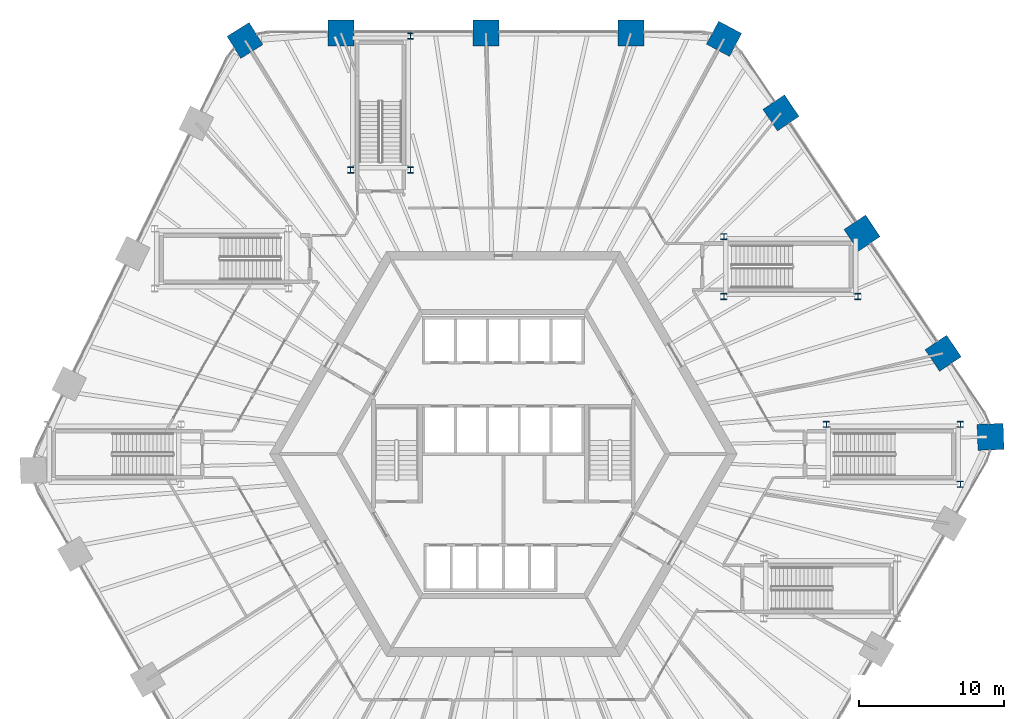
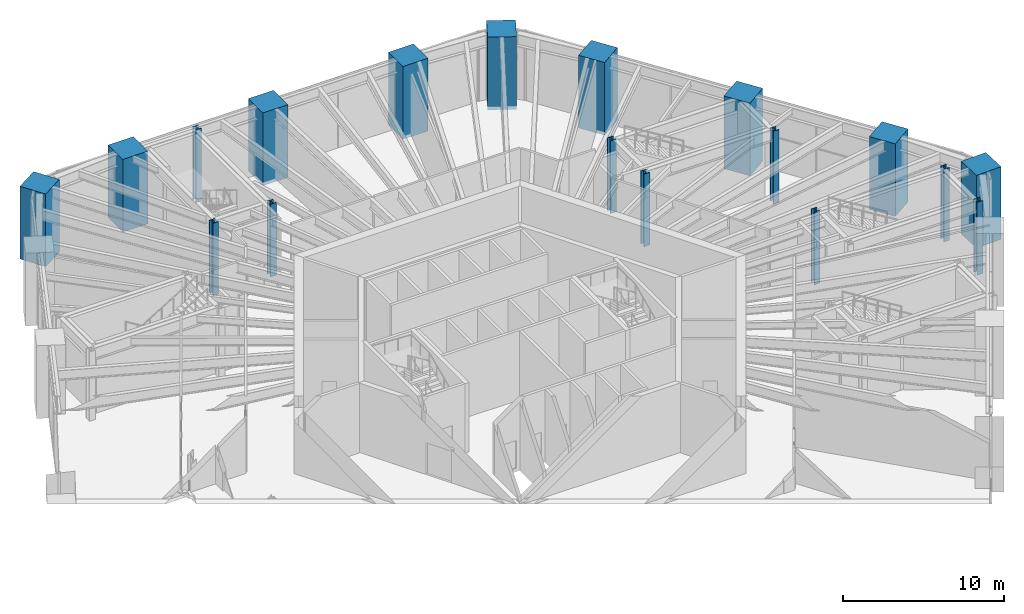
# One storey, part 2 of 30: 18 columns.
"""IFC4 building model written with IfcOpenShell, lengths in metres."""

from ifc_helpers import new_model, si_unit, direction, frame, origin, origin_2d, place, context, subcontext, project, spatial, rectangle, i_section, extrude, material, material_profile, profile_set, type_object, element, save


model = new_model("IFC4")

# Units and contexts
model_context = context("Model", 3, precision=1e-05, world=origin(), true_north=direction((0.0, 1.0)))
body_context = subcontext(model_context, "Body", "Model", "MODEL_VIEW")
ifc_project = project(units=[si_unit("LENGTHUNIT", "METRE"), si_unit("AREAUNIT", "SQUARE_METRE"), si_unit("VOLUMEUNIT", "CUBIC_METRE"), si_unit("PLANEANGLEUNIT", "RADIAN"), si_unit("MASSUNIT", "GRAM", prefix="KILO")], contexts=[model_context])

# Site, building, storey
site_placement = place(None, origin())
site = spatial("IfcSite", under=ifc_project, at=site_placement, CompositionType="ELEMENT")
building_placement = place(site_placement, origin())
building = spatial("IfcBuilding", under=site, at=building_placement, Name="Tarnside Tower", CompositionType="ELEMENT")
storey_placement = place(building_placement, frame((0.0, 0.0, 15.0)))
storey = spatial("IfcBuildingStorey", under=building, at=storey_placement, Name="L02", CompositionType="ELEMENT", Elevation=15.0)

# Columns
ifc_material_1 = material(Name="Concrete C80/95", Category="concrete")
ifc_material_profile_1 = material_profile(ifc_material_1, rectangle(XDim=1.800048828125, YDim=1.800048828125, at=origin_2d()), Name="Mega column 1800x1800")
ifc_profile_set_1 = profile_set([ifc_material_profile_1], Name="Concrete C80/95")
column_type_1 = type_object("IfcColumnType", Name="Mega column 1800 C80/95", PredefinedType="COLUMN", material=ifc_profile_set_1)
for number, where, z_axis, x_axis, name in (
    (1, (8.8125, 29.10009765625, -0.25), (0.0, 0.0, 1.0), (1.0, 0.0, 0.0), "Mega column M01"),
    (2, (-1.211181640625, 29.10009765625, -0.25), (0.0, 0.0, 1.0), (1.0, 0.0, 0.0), "Mega column M02"),
    (3, (-11.23486328125, 29.10009765625, -0.25), (0.0, 0.0, 1.0), (1.0, 0.0, 0.0), "Mega column M03"),
    (4, (-17.861083984375, 28.58349609375, -0.25), (0.0, 0.0, 1.0), (0.848048096156, 0.529919264233, 0.0), "Mega column M04"),
    (5, (33.6845703125, 1.17626953125, -0.25), (0.0, 0.0, 1.0), (0.034899496703, -0.999390827019, 0.0), "Mega column M20"),
    (6, (30.407470703125, 6.95849609375, -0.25), (0.0, 0.0, 1.0), (0.559192903471, -0.829037572555, 0.0), "Mega column M21"),
    (7, (24.80224609375, 15.2685546875, -0.25), (0.0, 0.0, 1.0), (0.559192903471, -0.829037572555, 0.0), "Mega column M22"),
    (8, (19.197021484375, 23.57861328125, -0.25), (0.0, 0.0, 1.0), (0.559192903471, -0.829037572555, 0.0), "Mega column M23"),
    (9, (15.260498046875, 28.700927734375, -0.25), (0.0, 0.0, 1.0), (0.882947592859, -0.469471562786, 0.0), "Mega column M24"),
):
    element("IfcColumn", number, at=place(storey_placement, frame(where, z_axis=z_axis, x_axis=x_axis)), inside=storey, type_object=column_type_1, Name=name, PredefinedType="COLUMN", context=body_context, shape_type="SweptSolid", body=[
        extrude(rectangle(XDim=1.800048828125, YDim=1.800048828125, at=origin_2d()), origin(), (0.0, 0.0, 1.0), 5.5),
    ])
ifc_material_2 = material(Name="Steel S460", Category="steel")
ifc_material_profile_2 = material_profile(ifc_material_2, i_section(OverallWidth=0.412109375, OverallDepth=0.4365234375, WebThickness=0.035888671875, FlangeThickness=0.05810546875, FilletRadius=0.01513671875, at=origin_2d()), Name="UC 356x406x467")
ifc_profile_set_2 = profile_set([ifc_material_profile_2], Name="Steel S460")
column_type_2 = type_object("IfcColumnType", Name="Steel column UC 356x406x467", PredefinedType="COLUMN", material=ifc_profile_set_2)
for number, where, z_axis, x_axis, name in (
    (10, (-6.41943359375, 28.895263671875, -0.25), (0.0, 0.0, 1.0), (1.0, 0.0, 0.0), "Trimmer column V01.02"),
    (11, (-6.41943359375, 19.634765625, -0.25), (0.0, 0.0, 1.0), (1.0, 0.0, 0.0), "Trimmer column V01.03"),
    (12, (-10.56005859375, 19.634765625, -0.25), (0.0, 0.0, 1.0), (1.0, 0.0, 0.0), "Trimmer column V01.04"),
    (13, (31.59521484375, 2.04541015625, -0.25), (0.0, 0.0, 1.0), (1.0, 0.0, 0.0), "Trimmer column V03.01"),
    (14, (31.59521484375, -2.09521484375, -0.25), (0.0, 0.0, 1.0), (1.0, 0.0, 0.0), "Trimmer column V03.02"),
    (15, (22.334716796875, 2.04541015625, -0.25), (0.0, 0.0, 1.0), (1.0, 0.0, 0.0), "Trimmer column V03.04"),
    (16, (24.50537109375, 10.879638671875, -0.25), (0.0, 0.0, 1.0), (1.0, 0.0, 0.0), "Trimmer column V04.02"),
    (17, (15.24462890625, 10.879638671875, -0.25), (0.0, 0.0, 1.0), (1.0, 0.0, 0.0), "Trimmer column V04.03"),
    (18, (15.24462890625, 15.020263671875, -0.25), (0.0, 0.0, 1.0), (1.0, 0.0, 0.0), "Trimmer column V04.04"),
):
    element("IfcColumn", number, at=place(storey_placement, frame(where, z_axis=z_axis, x_axis=x_axis)), inside=storey, type_object=column_type_2, Name=name, PredefinedType="COLUMN", context=body_context, shape_type="SweptSolid", body=[
        extrude(i_section(OverallWidth=0.412109375, OverallDepth=0.4365234375, WebThickness=0.035888671875, FlangeThickness=0.05810546875, FilletRadius=0.01513671875, at=origin_2d()), origin(), (0.0, 0.0, 1.0), 5.5),
    ])

save(model, "model.ifc")
